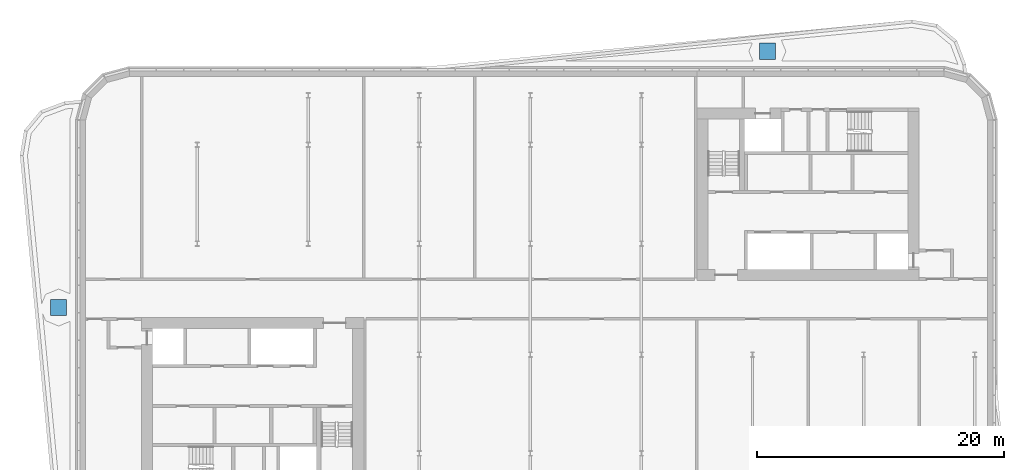
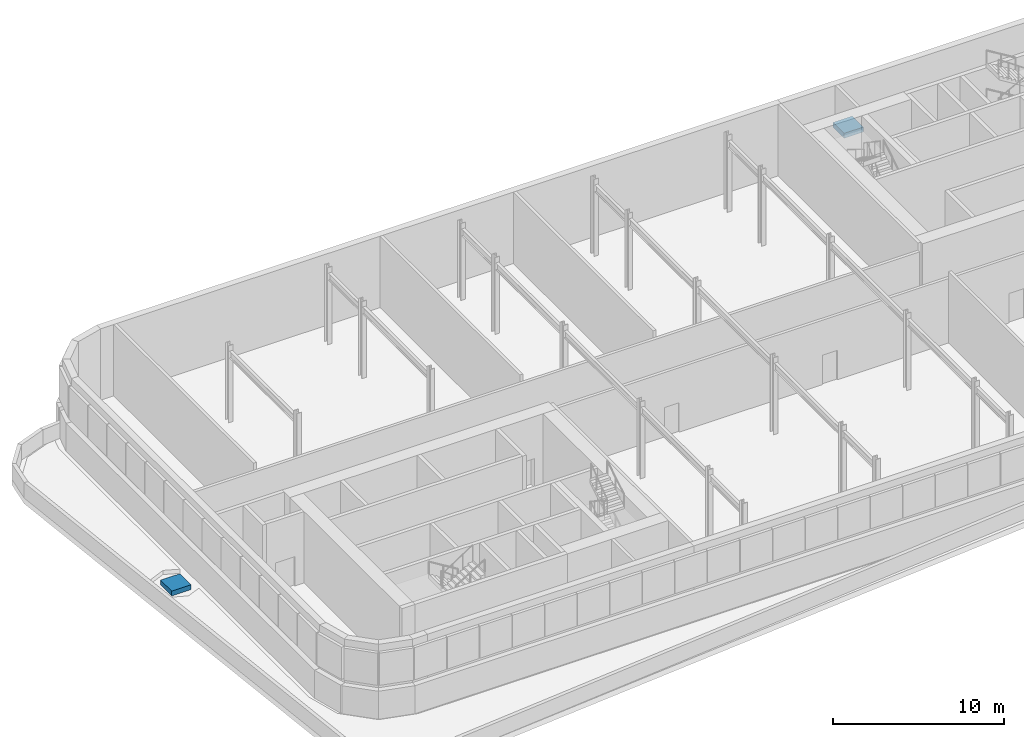
# One storey, part 10 of 16: 2 discrete accessories.
"""IFC4 building model written with IfcOpenShell, lengths in metres."""

from ifc_helpers import new_model, si_unit, direction, frame, origin, origin_2d, place, context, subcontext, project, spatial, rectangle, extrude, material, type_object, element, save


model = new_model("IFC4")

# Units and contexts
model_context = context("Model", 3, precision=1e-05, world=origin(), true_north=direction((0.0, 1.0)))
body_context = subcontext(model_context, "Body", "Model", "MODEL_VIEW")
ifc_project = project(units=[si_unit("LENGTHUNIT", "METRE"), si_unit("AREAUNIT", "SQUARE_METRE"), si_unit("VOLUMEUNIT", "CUBIC_METRE"), si_unit("PLANEANGLEUNIT", "RADIAN"), si_unit("MASSUNIT", "GRAM", prefix="KILO")], contexts=[model_context])

# Site, building, storey
site_placement = place(None, origin())
site = spatial("IfcSite", under=ifc_project, at=site_placement, CompositionType="ELEMENT")
building_placement = place(site_placement, origin())
building = spatial("IfcBuilding", under=site, at=building_placement, Name="Kajstack Hotel Tower", CompositionType="ELEMENT")
storey_placement = place(building_placement, frame((0.0, 0.0, 308.10009765625)))
storey = spatial("IfcBuildingStorey", under=building, at=storey_placement, Name="L78", CompositionType="ELEMENT", Elevation=308.10009765625)

# Discrete accessories
ifc_material = material(Name="Steel S355J2", Category="steel")
discrete_accessory_type = type_object("IfcDiscreteAccessoryType", Name="ROOF ACCESS HATCH", PredefinedType="USERDEFINED", material=ifc_material)
for number, where, z_axis, x_axis, name in (
    (1, (-38.226318359375, -0.6845703125, -0.000244140625), (0.0, 0.0, 1.0), (1.0, 0.0, 0.0), "Roof access hatch L78-01"),
    (2, (19.20556640625, 20.081298828125, -0.000244140625), (0.0, 0.0, 1.0), (1.0, 0.0, 0.0), "Roof access hatch L78-02"),
):
    element("IfcDiscreteAccessory", number, at=place(storey_placement, frame(where, z_axis=z_axis, x_axis=x_axis)), inside=storey, type_object=discrete_accessory_type, Name=name, ObjectType="ROOF ACCESS HATCH", PredefinedType="USERDEFINED", context=body_context, shape_type="SweptSolid", body=[
        extrude(rectangle(XDim=1.300048828125, YDim=1.300048828125, at=origin_2d()), origin(), (0.0, 0.0, 1.0), 0.35009765625),
    ])

save(model, "model.ifc")
